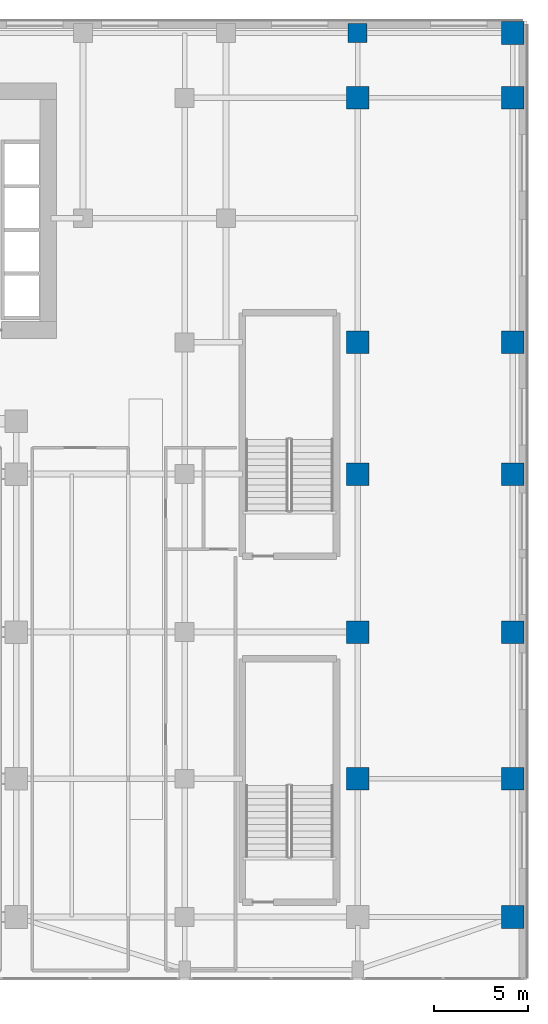
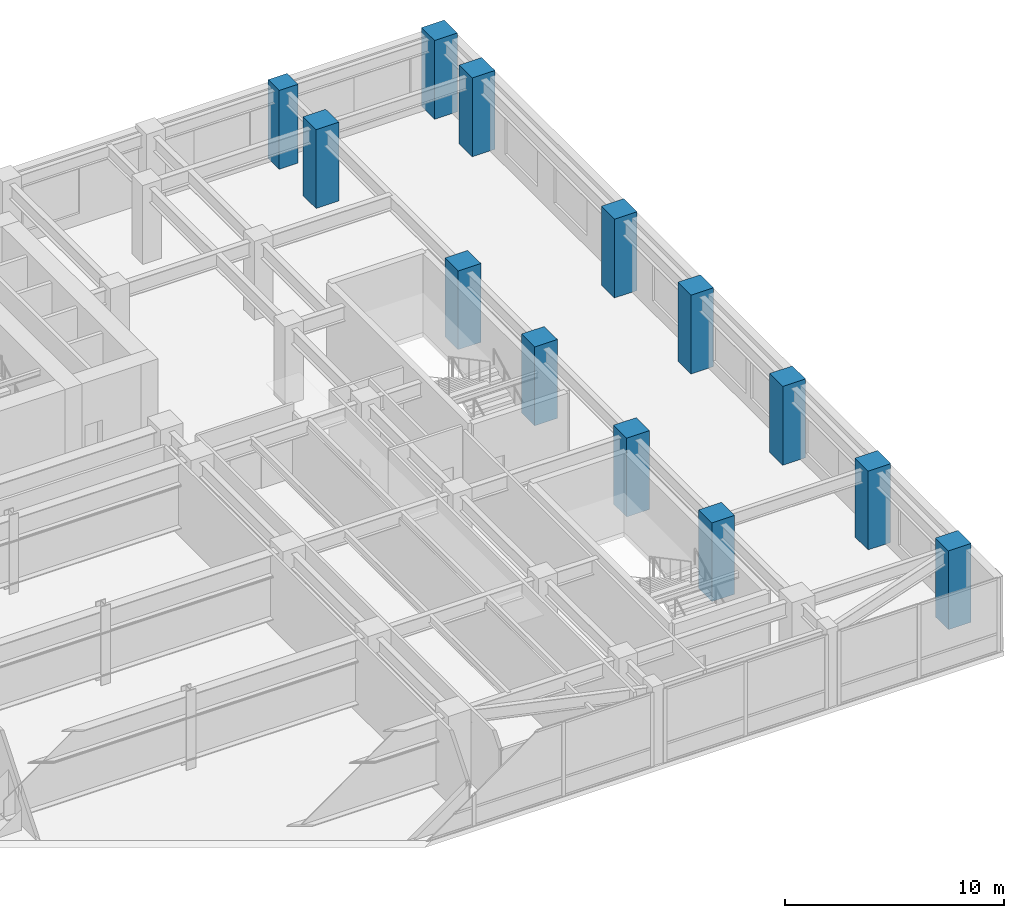
# One storey, part 2 of 27: 13 columns.
"""IFC4 building model written with IfcOpenShell, lengths in metres."""

import ifcopenshell
import ifcopenshell.guid

model = None  # the IFC model being written
_history = None  # IfcOwnerHistory: only IFC2X3 demands one
_inside = {}  # id of a spatial element -> (the spatial element, [elements in it])
_under = {}  # id of a project, library or spatial element -> (it, [spatial elements below it])
_declared = {}  # id of a project -> (the project, [libraries it declares])
_typed = {}  # id of a type object -> (the type object, [elements of that type])
_made_of = {}  # id of a material, layer set ... -> (it, [elements and type objects made of it])


def new_model(schema):
    """Start an empty IFC model of exactly this schema.

    Asked for "IFC4X3", IfcOpenShell would pick the latest addendum, in which some entities
    have other attributes; the version numbers below select the first issue.
    IFC2X3 requires an IfcOwnerHistory on every rooted entity: one is made here for all.
    """
    global model, _history
    if schema == "IFC4X3":
        model = ifcopenshell.file(schema_version=(4, 3, 0, 0))
    else:
        model = ifcopenshell.file(schema=schema)
    _inside.clear()
    _under.clear()
    _declared.clear()
    _typed.clear()
    _made_of.clear()
    _history = None
    if model.schema == "IFC2X3":
        org = make("IfcOrganization", Name="unknown")
        user = make(
            "IfcPersonAndOrganization",
            ThePerson=make("IfcPerson", FamilyName="unknown"),
            TheOrganization=org,
        )
        app = make(
            "IfcApplication",
            ApplicationDeveloper=org,
            Version="unknown",
            ApplicationFullName="unknown",
            ApplicationIdentifier="unknown",
        )
        _history = make(
            "IfcOwnerHistory",
            OwningUser=user,
            OwningApplication=app,
            ChangeAction="ADDED",
            CreationDate=0,
        )
    return model


def make(cls, **values):
    """One entity of the class cls with the attributes given. An attribute that is None is left unset."""
    return model.create_entity(
        cls, **{name: value for name, value in values.items() if value is not None}
    )


def rooted(cls, **values):
    """An entity with a GlobalId (a new one), such as an element, a storey or a relation."""
    return make(cls, GlobalId=ifcopenshell.guid.new(), OwnerHistory=_history, **values)


def si_unit(unit_type, name, prefix=None):
    """IfcSIUnit, for example si_unit("LENGTHUNIT", "METRE", prefix="MILLI")."""
    return make("IfcSIUnit", UnitType=unit_type, Prefix=prefix, Name=name)


def assignment(units):
    """IfcUnitAssignment: the units of a project."""
    return None if units is None else make("IfcUnitAssignment", Units=units)


def point(xyz):
    """IfcCartesianPoint."""
    return None if xyz is None else make("IfcCartesianPoint", Coordinates=xyz)


def direction(xyz):
    """IfcDirection."""
    return None if xyz is None else make("IfcDirection", DirectionRatios=xyz)


def frame(location, z_axis=None, x_axis=None):
    """IfcAxis2Placement3D, a coordinate frame: its origin and axes. An axis left out is left unset."""
    return make(
        "IfcAxis2Placement3D",
        Location=point(location),
        Axis=direction(z_axis),
        RefDirection=direction(x_axis),
    )


def frame_2d(location, x_axis=None):
    """IfcAxis2Placement2D, a coordinate frame in the plane: its origin and x axis."""
    return make(
        "IfcAxis2Placement2D", Location=point(location), RefDirection=direction(x_axis)
    )


def origin():
    """The frame at (0, 0, 0) with its axes left unset."""
    return frame((0.0, 0.0, 0.0))


def origin_2d():
    """The frame at (0, 0) in the plane with its x axis left unset."""
    return frame_2d((0.0, 0.0))


def place(relative_to, where):
    """IfcLocalPlacement: puts the frame where relative to a parent placement (None: the world)."""
    return make(
        "IfcLocalPlacement", PlacementRelTo=relative_to, RelativePlacement=where
    )


def context(
    kind, dimensions, precision=None, world=None, true_north=None, identifier=None
):
    """IfcGeometricRepresentationContext, for example the 3D "Model" context."""
    return make(
        "IfcGeometricRepresentationContext",
        ContextIdentifier=identifier,
        ContextType=kind,
        CoordinateSpaceDimension=dimensions,
        Precision=precision,
        WorldCoordinateSystem=world,
        TrueNorth=true_north,
    )


def subcontext(parent, identifier, kind, view, scale=None):
    """IfcGeometricRepresentationSubContext, for example "Body" below "Model"."""
    return make(
        "IfcGeometricRepresentationSubContext",
        ContextIdentifier=identifier,
        ContextType=kind,
        ParentContext=parent,
        TargetScale=scale,
        TargetView=view,
    )


def project(units=None, contexts=None):
    """IfcProject with its units and contexts."""
    return rooted(
        "IfcProject",
        Name="project",
        RepresentationContexts=contexts,
        UnitsInContext=assignment(units),
    )


def spatial(cls, under=None, at=None, **own):
    """A site, building, storey or space (cls), placed at a placement, below another one or the project."""
    s = rooted(cls, ObjectPlacement=at, **own)
    if under is not None:
        _under.setdefault(under.id(), (under, []))[1].append(s)
    return s


def profile(cls, at=None, kind="AREA", **sizes):
    """A parametric profile (cls). Its sizes go by their IFC names, for example OverallWidth=200.0."""
    return make(cls, ProfileType=kind, Position=at, **sizes)


def rectangle(**sizes):
    """IfcRectangleProfileDef."""
    return profile("IfcRectangleProfileDef", **sizes)


def extrude(swept, where, along, depth):
    """IfcExtrudedAreaSolid: the profile swept, set in the frame where, extruded along a direction by depth."""
    return make(
        "IfcExtrudedAreaSolid",
        SweptArea=swept,
        Position=where,
        ExtrudedDirection=direction(along),
        Depth=depth,
    )


def shape(context_of_items, identifier, shape_type, items):
    """IfcShapeRepresentation: the items that make up one representation, for example the "Body"."""
    return make(
        "IfcShapeRepresentation",
        ContextOfItems=context_of_items,
        RepresentationIdentifier=identifier,
        RepresentationType=shape_type,
        Items=items,
    )


def source(mapping_origin, context_of_items, identifier, shape_type, items):
    """IfcRepresentationMap: a shape defined once, which mapped items show again and again."""
    return make(
        "IfcRepresentationMap",
        MappingOrigin=mapping_origin,
        MappedRepresentation=shape(context_of_items, identifier, shape_type, items),
    )


def transform(
    local_origin,
    x_axis=None,
    y_axis=None,
    z_axis=None,
    scale=None,
    scale2=None,
    scale3=None,
    uniform=True,
):
    """IfcCartesianTransformationOperator3D, or its non-uniform kind. x_axis, y_axis, z_axis: its Axis1, 2, 3."""
    if uniform:
        return make(
            "IfcCartesianTransformationOperator3D",
            Axis1=direction(x_axis),
            Axis2=direction(y_axis),
            LocalOrigin=point(local_origin),
            Scale=scale,
            Axis3=direction(z_axis),
        )
    return make(
        "IfcCartesianTransformationOperator3DnonUniform",
        Axis1=direction(x_axis),
        Axis2=direction(y_axis),
        LocalOrigin=point(local_origin),
        Scale=scale,
        Axis3=direction(z_axis),
        Scale2=scale2,
        Scale3=scale3,
    )


def mapped(mapping_source, mapping_target):
    """IfcMappedItem: shows the shape of a source again, moved by a transform."""
    return make(
        "IfcMappedItem", MappingSource=mapping_source, MappingTarget=mapping_target
    )


def material(Name=None, Category=None):
    """IfcMaterial."""
    return make("IfcMaterial", Name=Name, Category=Category)


def material_profile(
    of_material, cross_section, Name=None, Category=None, Priority=None
):
    """IfcMaterialProfile: a cross section and its material."""
    return make(
        "IfcMaterialProfile",
        Name=Name,
        Material=of_material,
        Profile=cross_section,
        Priority=Priority,
        Category=Category,
    )


def profile_set(profiles, Name=None, composite=None):
    """IfcMaterialProfileSet."""
    return make(
        "IfcMaterialProfileSet",
        Name=Name,
        MaterialProfiles=profiles,
        CompositeProfile=composite,
    )


def made_of(thing, what):
    """Note that an element or type object is made of a material, layer set ...; save() writes the relation."""
    if what is not None:
        _made_of.setdefault(what.id(), (what, []))[1].append(thing)
    return thing


def type_object(cls, material=None, **own):
    """A type object (cls), such as IfcWallType, which elements share."""
    return made_of(rooted(cls, **own), material)


def type_shapes(of_type, sources):
    """Give a type object the sources (RepresentationMaps) that its elements show as mapped items."""
    of_type.RepresentationMaps = sources


def element(
    cls,
    number,
    at=None,
    inside=None,
    cuts=None,
    type_object=None,
    material=None,
    context=None,
    identifier="Body",
    shape_type=None,
    held_by="IfcProductDefinitionShape",
    body=None,
    shapes=None,
    **own,
):
    """One element of the class cls, such as IfcWall. Its Tag is "e" and its number.

    at: its placement. inside: the storey or other place that contains it. cuts: it is an
    opening in that element (IfcRelVoidsElement). A single representation is given by context,
    identifier, shape_type and body (its items); several are given by shapes. held_by: the class
    of the entity that holds the representations. save() writes the other relations.
    """
    e = rooted(cls, Tag="e%d" % number, ObjectPlacement=at, **own)
    if body is not None:
        shapes = [shape(context, identifier, shape_type, body)]
    if shapes is not None:
        e.Representation = make(held_by, Representations=shapes)
    if inside is not None:
        _inside.setdefault(inside.id(), (inside, []))[1].append(e)
    if cuts is not None:
        rooted(
            "IfcRelVoidsElement", RelatingBuildingElement=cuts, RelatedOpeningElement=e
        )
    if type_object is not None:
        _typed.setdefault(type_object.id(), (type_object, []))[1].append(e)
    return made_of(e, material)


def aggregate(whole, parts):
    """IfcRelAggregates: a whole, such as a stair, and the parts it consists of."""
    return rooted("IfcRelAggregates", RelatingObject=whole, RelatedObjects=parts)


def save(model, path):
    """Write the relations noted so far, then the file.

    IfcRelAggregates (storeys below a building ...), IfcRelContainedInSpatialStructure (elements
    in a storey), IfcRelDefinesByType, IfcRelAssociatesMaterial and IfcRelDeclares: one each for
    every whole, place, type object, material and project.
    """
    for whole, parts in _under.values():
        aggregate(whole, parts)
    for where, things in _inside.values():
        rooted(
            "IfcRelContainedInSpatialStructure",
            RelatedElements=things,
            RelatingStructure=where,
        )
    for kind, things in _typed.values():
        rooted("IfcRelDefinesByType", RelatedObjects=things, RelatingType=kind)
    for what, things in _made_of.values():
        rooted("IfcRelAssociatesMaterial", RelatedObjects=things, RelatingMaterial=what)
    for by, libraries in _declared.values():
        rooted("IfcRelDeclares", RelatingContext=by, RelatedDefinitions=libraries)
    model.write(path)


model = new_model("IFC4")

# Units and contexts
model_context = context("Model", 3, precision=1e-05, world=origin(), true_north=direction((0.0, 1.0)))
body_context = subcontext(model_context, "Body", "Model", "MODEL_VIEW")
ifc_project = project(units=[si_unit("LENGTHUNIT", "METRE"), si_unit("AREAUNIT", "SQUARE_METRE"), si_unit("VOLUMEUNIT", "CUBIC_METRE"), si_unit("PLANEANGLEUNIT", "RADIAN"), si_unit("MASSUNIT", "GRAM", prefix="KILO")], contexts=[model_context])

# Site, building, storey
site_placement = place(None, origin())
site = spatial("IfcSite", under=ifc_project, at=site_placement, CompositionType="ELEMENT")
building_placement = place(site_placement, origin())
building = spatial("IfcBuilding", under=site, at=building_placement, Name="Tolvann Quenvar Hotel", CompositionType="ELEMENT")
storey_placement = place(building_placement, frame((0.0, 0.0, 22.39990234375)))
storey = spatial("IfcBuildingStorey", under=building, at=storey_placement, Name="L04", CompositionType="ELEMENT", Elevation=22.39990234375)

# Columns
ifc_material_1 = material(Name="Concrete S80 (80 MPa)", Category="concrete")
ifc_material_profile_1 = material_profile(ifc_material_1, rectangle(XDim=1.199951171875, YDim=1.199951171875, at=origin_2d()), Name="RC1200x1200")
ifc_profile_set_1 = profile_set([ifc_material_profile_1], Name="Concrete S80 (80 MPa)")
column_type_1 = type_object("IfcColumnType", Name="COL_RC1200", PredefinedType="COLUMN", material=ifc_profile_set_1)
shared_shape_1 = source(origin(), body_context, "Body", "SweptSolid", [
    extrude(rectangle(XDim=1.199951171875, YDim=1.199951171875, at=origin_2d()), origin(), (0.0, 0.0, 1.0), 4.400146484375),
])
type_shapes(column_type_1, [shared_shape_1])
for number, where, z_axis, x_axis, name in (
    (1, (64.64990234375, 0.85009765625, 0.0), (0.0, 0.0, 1.0), (1.0, 0.0, 0.0), "Column PK1 (L04)"),
    (2, (64.64990234375, 8.199951171875, 0.0), (0.0, 0.0, 1.0), (1.0, 0.0, 0.0), "Column PK2 (L04)"),
    (3, (64.64990234375, 16.0, 0.0), (0.0, 0.0, 1.0), (1.0, 0.0, 0.0), "Column PK3 (L04)"),
    (4, (64.64990234375, 24.39990234375, 0.0), (0.0, 0.0, 1.0), (1.0, 0.0, 0.0), "Column PK4 (L04)"),
    (5, (64.64990234375, 31.39990234375, 0.0), (0.0, 0.0, 1.0), (1.0, 0.0, 0.0), "Column PK5 (L04)"),
    (6, (64.64990234375, 44.39990234375, 0.0), (0.0, 0.0, 1.0), (1.0, 0.0, 0.0), "Column PK6 (L04)"),
    (7, (64.64990234375, 47.85009765625, 0.0), (0.0, 0.0, 1.0), (1.0, 0.0, 0.0), "Column PKN (L04)"),
    (8, (56.39990234375, 8.199951171875, 0.0), (0.0, 0.0, 1.0), (1.0, 0.0, 0.0), "Column PJ2 (L04)"),
    (9, (56.39990234375, 16.0, 0.0), (0.0, 0.0, 1.0), (1.0, 0.0, 0.0), "Column PJ3 (L04)"),
    (10, (56.39990234375, 24.39990234375, 0.0), (0.0, 0.0, 1.0), (1.0, 0.0, 0.0), "Column PJ4 (L04)"),
    (11, (56.39990234375, 31.39990234375, 0.0), (0.0, 0.0, 1.0), (1.0, 0.0, 0.0), "Column PJ5 (L04)"),
    (12, (56.39990234375, 44.39990234375, 0.0), (0.0, 0.0, 1.0), (1.0, 0.0, 0.0), "Column PJ6 (L04)"),
):
    element("IfcColumn", number, at=place(storey_placement, frame(where, z_axis=z_axis, x_axis=x_axis)), inside=storey, type_object=column_type_1, Name=name, PredefinedType="COLUMN", context=body_context, shape_type="MappedRepresentation", body=[
        mapped(shared_shape_1, transform((0.0, 0.0, 0.0), x_axis=(1.0, 0.0, 0.0), y_axis=(0.0, 1.0, 0.0), z_axis=(0.0, 0.0, 1.0), scale=1.0)),
    ])
ifc_material_2 = material(Name="Concrete S65 (65 MPa)", Category="concrete")
ifc_material_profile_2 = material_profile(ifc_material_2, rectangle(XDim=1.0, YDim=1.0, at=origin_2d()), Name="RC1000x1000")
ifc_profile_set_2 = profile_set([ifc_material_profile_2], Name="Concrete S65 (65 MPa)")
column_type_2 = type_object("IfcColumnType", Name="COL_RC1000", PredefinedType="COLUMN", material=ifc_profile_set_2)
shared_shape_2 = source(origin(), body_context, "Body", "SweptSolid", [
    extrude(rectangle(XDim=1.0, YDim=1.0, at=origin_2d()), origin(), (0.0, 0.0, 1.0), 4.400146484375),
])
type_shapes(column_type_2, [shared_shape_2])
column_placement = place(storey_placement, frame((56.39990234375, 47.85009765625, 0.0), z_axis=(0.0, 0.0, 1.0), x_axis=(1.0, 0.0, 0.0)))
element("IfcColumn", 13, at=column_placement, inside=storey, type_object=column_type_2, Name="Column PN7 (L04)", PredefinedType="COLUMN", context=body_context, shape_type="MappedRepresentation", body=[
    mapped(shared_shape_2, transform((0.0, 0.0, 0.0), x_axis=(1.0, 0.0, 0.0), y_axis=(0.0, 1.0, 0.0), z_axis=(0.0, 0.0, 1.0), scale=1.0)),
])

save(model, "model.ifc")
